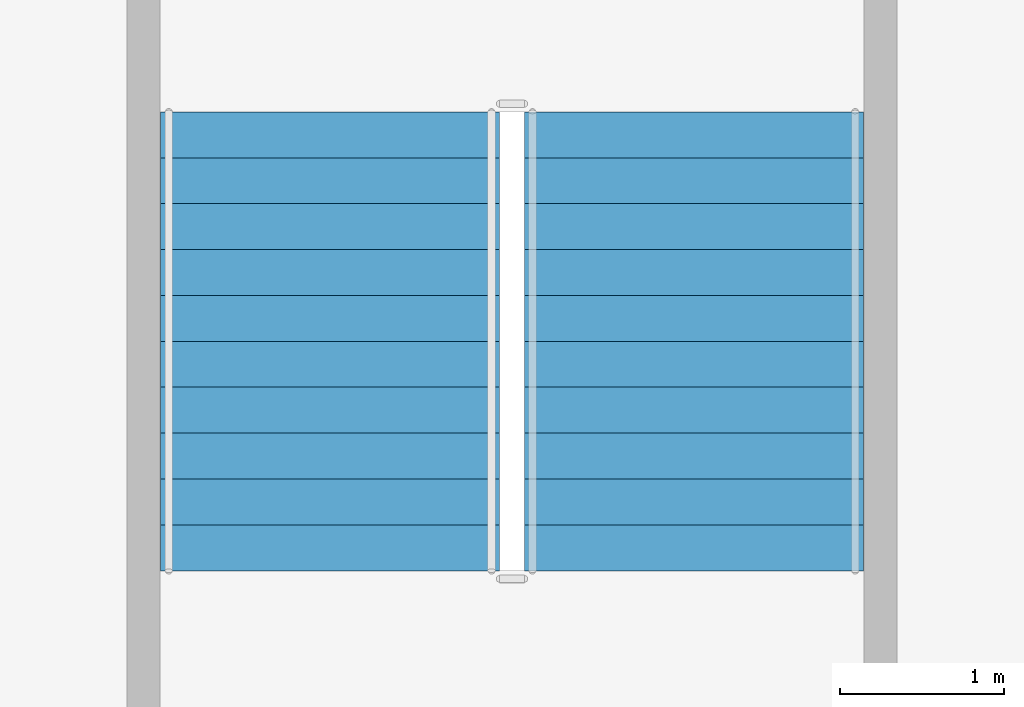
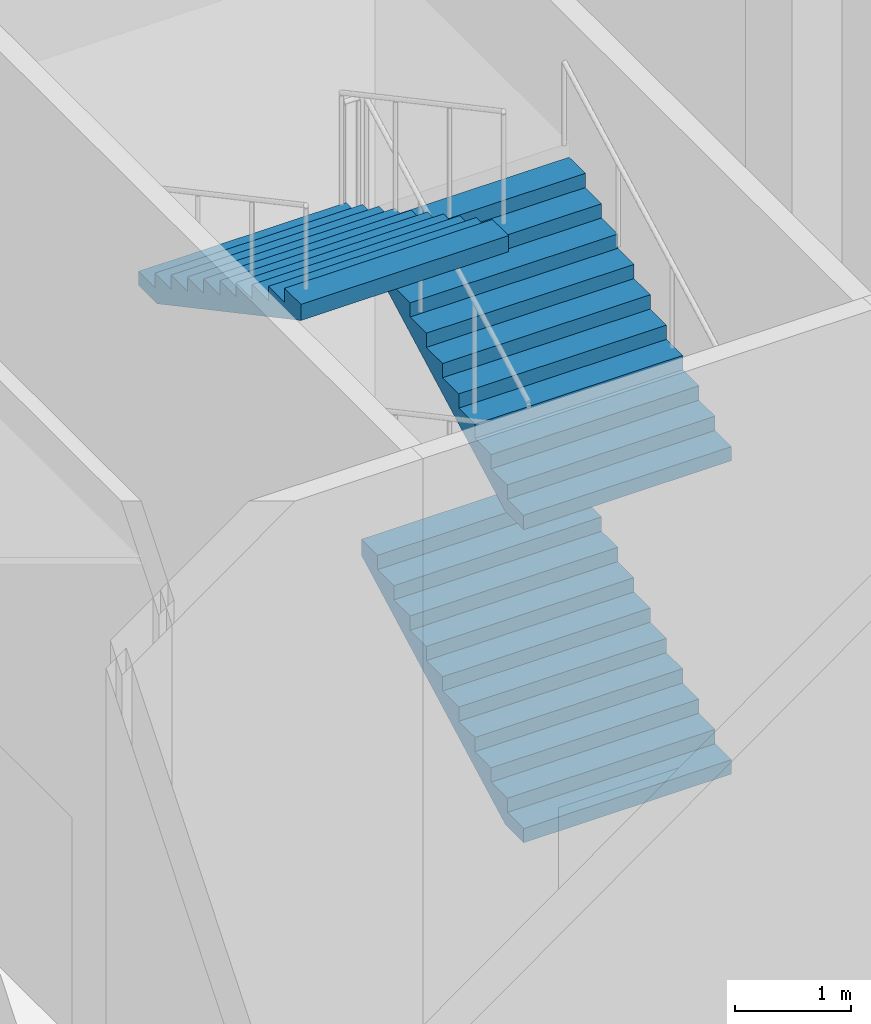
# One storey, part 29 of 38: 3 stair flights, 1 element without a shape of its own.
"""IFC4 building model written with IfcOpenShell, lengths in metres."""

from ifc_helpers import new_model, si_unit, direction, frame, origin, place, context, subcontext, project, spatial, polygons, material, type_object, element, aggregate, save


model = new_model("IFC4")

# Units and contexts
model_context = context("Model", 3, precision=1e-05, world=origin(), true_north=direction((0.0, 1.0)))
body_context = subcontext(model_context, "Body", "Model", "MODEL_VIEW")
ifc_project = project(units=[si_unit("LENGTHUNIT", "METRE"), si_unit("AREAUNIT", "SQUARE_METRE"), si_unit("VOLUMEUNIT", "CUBIC_METRE"), si_unit("PLANEANGLEUNIT", "RADIAN"), si_unit("MASSUNIT", "GRAM", prefix="KILO")], contexts=[model_context])

# Site, building, storey
site_placement = place(None, origin())
site = spatial("IfcSite", under=ifc_project, at=site_placement, CompositionType="ELEMENT")
building_placement = place(site_placement, origin())
building = spatial("IfcBuilding", under=site, at=building_placement, Name="Caravel Reach Hotel and Residences", CompositionType="ELEMENT")
storey_placement = place(building_placement, origin())
storey = spatial("IfcBuildingStorey", under=building, at=storey_placement, Name="L00", CompositionType="ELEMENT", Elevation=0.0)

# Stair, stair flights
ifc_material_1 = material(Name="Concrete C40", Category="concrete")
stair_type = type_object("IfcStairType", Name="Core stair", PredefinedType="HALF_TURN_STAIR", material=ifc_material_1)
stair_placement = place(storey_placement, origin())
stair = element("IfcStair", 1, at=stair_placement, inside=storey, type_object=stair_type, Name="L00 Exit stair P6", PredefinedType="HALF_TURN_STAIR")
ifc_material_2 = material(Name="Concrete C40", Category="concrete")
stair_flight_type = type_object("IfcStairFlightType", Name="Core stair flight", PredefinedType="STRAIGHT", material=ifc_material_2)
stair_flight_1_placement = place(storey_placement, frame((64.360107421875, 42.68994140625, 0.0), z_axis=(0.0, 0.0, 1.0), x_axis=(0.0, 1.0, 0.0)))
stair_flight_1 = element("IfcStairFlight", 2, at=stair_flight_1_placement, type_object=stair_flight_type, Name="ST-P6 flight 1", NumberOfRisers=11, NumberOfTreads=10, PredefinedType="STRAIGHT", RiserHeight=0.15, TreadLength=0.28, context=body_context, shape_type="Tessellation", body=[
    polygons([(0.3174408016601862, 1.0350341796875, 0.0), (0.3174408016601862, 0.6900227864583333, 0.0), (0.3174408016601862, 0.34501139322916663, 0.0), (0.3174408016601862, 0.0, 0.0), (0.3174408016601862, -0.34501139322916674, 0.0), (0.3174408016601862, -0.6900227864583333, 0.0), (0.3174408016601862, -1.0350341796875, 0.0), (2.801, 1.0350341796875, 1.329942427682043), (2.801, 0.6900227864583333, 1.329942427682043), (2.801, 0.34501139322916663, 1.329942427682043), (2.801, 0.0, 1.329942427682043), (2.801, -0.34501139322916674, 1.329942427682043), (2.801, -0.6900227864583333, 1.329942427682043), (2.801, -1.0350341796875, 1.329942427682043), (2.801, 1.0350341796875, 1.5), (2.801, 0.6900227864583333, 1.5), (2.801, 0.34501139322916663, 1.5), (2.801, 0.0, 1.5), (2.801, -0.34501139322916674, 1.5), (2.801, -0.6900227864583333, 1.5), (2.801, -1.0350341796875, 1.5), (2.5200000000000005, 1.0350341796875, 1.5), (2.5200000000000005, 0.6900227864583333, 1.5), (2.5200000000000005, 0.34501139322916663, 1.5), (2.5200000000000005, 0.0, 1.5), (2.5200000000000005, -0.34501139322916674, 1.5), (2.5200000000000005, -0.6900227864583333, 1.5), (2.5200000000000005, -1.0350341796875, 1.5), (2.5200000000000005, 1.0350341796875, 1.3499999999999999), (2.5200000000000005, 0.6900227864583333, 1.3499999999999999), (2.5200000000000005, 0.34501139322916663, 1.3499999999999999), (2.5200000000000005, 0.0, 1.3499999999999999), (2.5200000000000005, -0.34501139322916674, 1.3499999999999999), (2.5200000000000005, -0.6900227864583333, 1.3499999999999999), (2.5200000000000005, -1.0350341796875, 1.3499999999999999), (2.24, 1.0350341796875, 1.3499999999999999), (2.24, 0.6900227864583333, 1.3499999999999999), (2.24, 0.34501139322916663, 1.3499999999999999), (2.24, 0.0, 1.3499999999999999), (2.24, -0.34501139322916674, 1.3499999999999999), (2.24, -0.6900227864583333, 1.3499999999999999), (2.24, -1.0350341796875, 1.3499999999999999), (2.24, 1.0350341796875, 1.2), (2.24, 0.6900227864583333, 1.2), (2.24, 0.34501139322916663, 1.2), (2.24, 0.0, 1.2), (2.24, -0.34501139322916674, 1.2), (2.24, -0.6900227864583333, 1.2), (2.24, -1.0350341796875, 1.2), (1.9600000000000002, 1.0350341796875, 1.2), (1.9600000000000002, 0.6900227864583333, 1.2), (1.9600000000000002, 0.34501139322916663, 1.2), (1.9600000000000002, 0.0, 1.2), (1.9600000000000002, -0.34501139322916674, 1.2), (1.9600000000000002, -0.6900227864583333, 1.2), (1.9600000000000002, -1.0350341796875, 1.2), (1.9600000000000002, 1.0350341796875, 1.05), (1.9600000000000002, 0.6900227864583333, 1.05), (1.9600000000000002, 0.34501139322916663, 1.05), (1.9600000000000002, 0.0, 1.05), (1.9600000000000002, -0.34501139322916674, 1.05), (1.9600000000000002, -0.6900227864583333, 1.05), (1.9600000000000002, -1.0350341796875, 1.05), (1.6800000000000002, 1.0350341796875, 1.05), (1.6800000000000002, 0.6900227864583333, 1.05), (1.6800000000000002, 0.34501139322916663, 1.05), (1.6800000000000002, 0.0, 1.05), (1.6800000000000002, -0.34501139322916674, 1.05), (1.6800000000000002, -0.6900227864583333, 1.05), (1.6800000000000002, -1.0350341796875, 1.05), (1.6800000000000002, 1.0350341796875, 0.8999999999999999), (1.6800000000000002, 0.6900227864583333, 0.8999999999999999), (1.6800000000000002, 0.34501139322916663, 0.8999999999999999), (1.6800000000000002, 0.0, 0.8999999999999999), (1.6800000000000002, -0.34501139322916674, 0.8999999999999999), (1.6800000000000002, -0.6900227864583333, 0.8999999999999999), (1.6800000000000002, -1.0350341796875, 0.8999999999999999), (1.4000000000000001, 1.0350341796875, 0.8999999999999999), (1.4000000000000001, 0.6900227864583333, 0.8999999999999999), (1.4000000000000001, 0.34501139322916663, 0.8999999999999999), (1.4000000000000001, 0.0, 0.8999999999999999), (1.4000000000000001, -0.34501139322916674, 0.8999999999999999), (1.4000000000000001, -0.6900227864583333, 0.8999999999999999), (1.4000000000000001, -1.0350341796875, 0.8999999999999999), (1.4000000000000001, 1.0350341796875, 0.75), (1.4000000000000001, 0.6900227864583333, 0.75), (1.4000000000000001, 0.34501139322916663, 0.75), (1.4000000000000001, 0.0, 0.75), (1.4000000000000001, -0.34501139322916674, 0.75), (1.4000000000000001, -0.6900227864583333, 0.75), (1.4000000000000001, -1.0350341796875, 0.75), (1.12, 1.0350341796875, 0.75), (1.12, 0.6900227864583333, 0.75), (1.12, 0.34501139322916663, 0.75), (1.12, 0.0, 0.75), (1.12, -0.34501139322916674, 0.75), (1.12, -0.6900227864583333, 0.75), (1.12, -1.0350341796875, 0.75), (1.12, 1.0350341796875, 0.6), (1.12, 0.6900227864583333, 0.6), (1.12, 0.34501139322916663, 0.6), (1.12, 0.0, 0.6), (1.12, -0.34501139322916674, 0.6), (1.12, -0.6900227864583333, 0.6), (1.12, -1.0350341796875, 0.6), (0.8400000000000001, 1.0350341796875, 0.6), (0.8400000000000001, 0.6900227864583333, 0.6), (0.8400000000000001, 0.34501139322916663, 0.6), (0.8400000000000001, 0.0, 0.6), (0.8400000000000001, -0.34501139322916674, 0.6), (0.8400000000000001, -0.6900227864583333, 0.6), (0.8400000000000001, -1.0350341796875, 0.6), (0.8400000000000001, 1.0350341796875, 0.44999999999999996), (0.8400000000000001, 0.6900227864583333, 0.44999999999999996), (0.8400000000000001, 0.34501139322916663, 0.44999999999999996), (0.8400000000000001, 0.0, 0.44999999999999996), (0.8400000000000001, -0.34501139322916674, 0.44999999999999996), (0.8400000000000001, -0.6900227864583333, 0.44999999999999996), (0.8400000000000001, -1.0350341796875, 0.44999999999999996), (0.56, 1.0350341796875, 0.44999999999999996), (0.56, 0.6900227864583333, 0.44999999999999996), (0.56, 0.34501139322916663, 0.44999999999999996), (0.56, 0.0, 0.44999999999999996), (0.56, -0.34501139322916674, 0.44999999999999996), (0.56, -0.6900227864583333, 0.44999999999999996), (0.56, -1.0350341796875, 0.44999999999999996), (0.56, 1.0350341796875, 0.3), (0.56, 0.6900227864583333, 0.3), (0.56, 0.34501139322916663, 0.3), (0.56, 0.0, 0.3), (0.56, -0.34501139322916674, 0.3), (0.56, -0.6900227864583333, 0.3), (0.56, -1.0350341796875, 0.3), (0.28, 1.0350341796875, 0.3), (0.28, 0.6900227864583333, 0.3), (0.28, 0.34501139322916663, 0.3), (0.28, 0.0, 0.3), (0.28, -0.34501139322916674, 0.3), (0.28, -0.6900227864583333, 0.3), (0.28, -1.0350341796875, 0.3), (0.28, 1.0350341796875, 0.15), (0.28, 0.6900227864583333, 0.15), (0.28, 0.34501139322916663, 0.15), (0.28, 0.0, 0.15), (0.28, -0.34501139322916674, 0.15), (0.28, -0.6900227864583333, 0.15), (0.28, -1.0350341796875, 0.15), (-0.001, 1.0350341796875, 0.15), (-0.001, 0.6900227864583333, 0.15), (-0.001, 0.34501139322916663, 0.15), (-0.001, 0.0, 0.15), (-0.001, -0.34501139322916674, 0.15), (-0.001, -0.6900227864583333, 0.15), (-0.001, -1.0350341796875, 0.15), (-0.001, 1.0350341796875, 0.0), (-0.001, 0.6900227864583333, 0.0), (-0.001, 0.34501139322916663, 0.0), (-0.001, 0.0, 0.0), (-0.001, -0.34501139322916674, 0.0), (-0.001, -0.6900227864583333, 0.0), (-0.001, -1.0350341796875, 0.0)], [[[155, 148, 141, 134, 127, 120, 113, 106, 99, 92, 85, 78, 71, 64, 57, 50, 43, 36, 29, 22, 15, 8, 1]], [[7, 14, 21, 28, 35, 42, 49, 56, 63, 70, 77, 84, 91, 98, 105, 112, 119, 126, 133, 140, 147, 154, 161]], [[1, 8, 9, 2]], [[2, 9, 10, 3]], [[3, 10, 11, 4]], [[4, 11, 12, 5]], [[5, 12, 13, 6]], [[6, 13, 14, 7]], [[8, 15, 16, 9]], [[9, 16, 17, 10]], [[10, 17, 18, 11]], [[11, 18, 19, 12]], [[12, 19, 20, 13]], [[13, 20, 21, 14]], [[15, 22, 23, 16]], [[16, 23, 24, 17]], [[17, 24, 25, 18]], [[18, 25, 26, 19]], [[19, 26, 27, 20]], [[20, 27, 28, 21]], [[22, 29, 30, 23]], [[23, 30, 31, 24]], [[24, 31, 32, 25]], [[25, 32, 33, 26]], [[26, 33, 34, 27]], [[27, 34, 35, 28]], [[29, 36, 37, 30]], [[30, 37, 38, 31]], [[31, 38, 39, 32]], [[32, 39, 40, 33]], [[33, 40, 41, 34]], [[34, 41, 42, 35]], [[36, 43, 44, 37]], [[37, 44, 45, 38]], [[38, 45, 46, 39]], [[39, 46, 47, 40]], [[40, 47, 48, 41]], [[41, 48, 49, 42]], [[43, 50, 51, 44]], [[44, 51, 52, 45]], [[45, 52, 53, 46]], [[46, 53, 54, 47]], [[47, 54, 55, 48]], [[48, 55, 56, 49]], [[50, 57, 58, 51]], [[51, 58, 59, 52]], [[52, 59, 60, 53]], [[53, 60, 61, 54]], [[54, 61, 62, 55]], [[55, 62, 63, 56]], [[57, 64, 65, 58]], [[58, 65, 66, 59]], [[59, 66, 67, 60]], [[60, 67, 68, 61]], [[61, 68, 69, 62]], [[62, 69, 70, 63]], [[64, 71, 72, 65]], [[65, 72, 73, 66]], [[66, 73, 74, 67]], [[67, 74, 75, 68]], [[68, 75, 76, 69]], [[69, 76, 77, 70]], [[71, 78, 79, 72]], [[72, 79, 80, 73]], [[73, 80, 81, 74]], [[74, 81, 82, 75]], [[75, 82, 83, 76]], [[76, 83, 84, 77]], [[78, 85, 86, 79]], [[79, 86, 87, 80]], [[80, 87, 88, 81]], [[81, 88, 89, 82]], [[82, 89, 90, 83]], [[83, 90, 91, 84]], [[85, 92, 93, 86]], [[86, 93, 94, 87]], [[87, 94, 95, 88]], [[88, 95, 96, 89]], [[89, 96, 97, 90]], [[90, 97, 98, 91]], [[92, 99, 100, 93]], [[93, 100, 101, 94]], [[94, 101, 102, 95]], [[95, 102, 103, 96]], [[96, 103, 104, 97]], [[97, 104, 105, 98]], [[99, 106, 107, 100]], [[100, 107, 108, 101]], [[101, 108, 109, 102]], [[102, 109, 110, 103]], [[103, 110, 111, 104]], [[104, 111, 112, 105]], [[106, 113, 114, 107]], [[107, 114, 115, 108]], [[108, 115, 116, 109]], [[109, 116, 117, 110]], [[110, 117, 118, 111]], [[111, 118, 119, 112]], [[113, 120, 121, 114]], [[114, 121, 122, 115]], [[115, 122, 123, 116]], [[116, 123, 124, 117]], [[117, 124, 125, 118]], [[118, 125, 126, 119]], [[120, 127, 128, 121]], [[121, 128, 129, 122]], [[122, 129, 130, 123]], [[123, 130, 131, 124]], [[124, 131, 132, 125]], [[125, 132, 133, 126]], [[127, 134, 135, 128]], [[128, 135, 136, 129]], [[129, 136, 137, 130]], [[130, 137, 138, 131]], [[131, 138, 139, 132]], [[132, 139, 140, 133]], [[134, 141, 142, 135]], [[135, 142, 143, 136]], [[136, 143, 144, 137]], [[137, 144, 145, 138]], [[138, 145, 146, 139]], [[139, 146, 147, 140]], [[141, 148, 149, 142]], [[142, 149, 150, 143]], [[143, 150, 151, 144]], [[144, 151, 152, 145]], [[145, 152, 153, 146]], [[146, 153, 154, 147]], [[148, 155, 156, 149]], [[149, 156, 157, 150]], [[150, 157, 158, 151]], [[151, 158, 159, 152]], [[152, 159, 160, 153]], [[153, 160, 161, 154]], [[155, 1, 2, 156]], [[156, 2, 3, 157]], [[157, 3, 4, 158]], [[158, 4, 5, 159]], [[159, 5, 6, 160]], [[160, 6, 7, 161]]], closed=True),
])
stair_flight_2_placement = place(storey_placement, frame((64.360107421875, 42.68994140625, 3.300048828125), z_axis=(0.0, 0.0, 1.0), x_axis=(0.0, 1.0, 0.0)))
stair_flight_2 = element("IfcStairFlight", 3, at=stair_flight_2_placement, type_object=stair_flight_type, Name="ST-P6 flight 3", NumberOfRisers=11, NumberOfTreads=10, PredefinedType="STRAIGHT", RiserHeight=0.15, TreadLength=0.28, context=body_context, shape_type="Tessellation", body=[
    polygons([(0.3174408016601862, 1.0350341796875, 0.0), (0.3174408016601862, 0.6900227864583333, 0.0), (0.3174408016601862, 0.34501139322916663, 0.0), (0.3174408016601862, 0.0, 0.0), (0.3174408016601862, -0.34501139322916674, 0.0), (0.3174408016601862, -0.6900227864583333, 0.0), (0.3174408016601862, -1.0350341796875, 0.0), (2.801, 1.0350341796875, 1.329942427682043), (2.801, 0.6900227864583333, 1.329942427682043), (2.801, 0.34501139322916663, 1.329942427682043), (2.801, 0.0, 1.329942427682043), (2.801, -0.34501139322916674, 1.329942427682043), (2.801, -0.6900227864583333, 1.329942427682043), (2.801, -1.0350341796875, 1.329942427682043), (2.801, 1.0350341796875, 1.5), (2.801, 0.6900227864583333, 1.5), (2.801, 0.34501139322916663, 1.5), (2.801, 0.0, 1.5), (2.801, -0.34501139322916674, 1.5), (2.801, -0.6900227864583333, 1.5), (2.801, -1.0350341796875, 1.5), (2.5200000000000005, 1.0350341796875, 1.5), (2.5200000000000005, 0.6900227864583333, 1.5), (2.5200000000000005, 0.34501139322916663, 1.5), (2.5200000000000005, 0.0, 1.5), (2.5200000000000005, -0.34501139322916674, 1.5), (2.5200000000000005, -0.6900227864583333, 1.5), (2.5200000000000005, -1.0350341796875, 1.5), (2.5200000000000005, 1.0350341796875, 1.3499999999999999), (2.5200000000000005, 0.6900227864583333, 1.3499999999999999), (2.5200000000000005, 0.34501139322916663, 1.3499999999999999), (2.5200000000000005, 0.0, 1.3499999999999999), (2.5200000000000005, -0.34501139322916674, 1.3499999999999999), (2.5200000000000005, -0.6900227864583333, 1.3499999999999999), (2.5200000000000005, -1.0350341796875, 1.3499999999999999), (2.24, 1.0350341796875, 1.3499999999999999), (2.24, 0.6900227864583333, 1.3499999999999999), (2.24, 0.34501139322916663, 1.3499999999999999), (2.24, 0.0, 1.3499999999999999), (2.24, -0.34501139322916674, 1.3499999999999999), (2.24, -0.6900227864583333, 1.3499999999999999), (2.24, -1.0350341796875, 1.3499999999999999), (2.24, 1.0350341796875, 1.2), (2.24, 0.6900227864583333, 1.2), (2.24, 0.34501139322916663, 1.2), (2.24, 0.0, 1.2), (2.24, -0.34501139322916674, 1.2), (2.24, -0.6900227864583333, 1.2), (2.24, -1.0350341796875, 1.2), (1.9600000000000002, 1.0350341796875, 1.2), (1.9600000000000002, 0.6900227864583333, 1.2), (1.9600000000000002, 0.34501139322916663, 1.2), (1.9600000000000002, 0.0, 1.2), (1.9600000000000002, -0.34501139322916674, 1.2), (1.9600000000000002, -0.6900227864583333, 1.2), (1.9600000000000002, -1.0350341796875, 1.2), (1.9600000000000002, 1.0350341796875, 1.05), (1.9600000000000002, 0.6900227864583333, 1.05), (1.9600000000000002, 0.34501139322916663, 1.05), (1.9600000000000002, 0.0, 1.05), (1.9600000000000002, -0.34501139322916674, 1.05), (1.9600000000000002, -0.6900227864583333, 1.05), (1.9600000000000002, -1.0350341796875, 1.05), (1.6800000000000002, 1.0350341796875, 1.05), (1.6800000000000002, 0.6900227864583333, 1.05), (1.6800000000000002, 0.34501139322916663, 1.05), (1.6800000000000002, 0.0, 1.05), (1.6800000000000002, -0.34501139322916674, 1.05), (1.6800000000000002, -0.6900227864583333, 1.05), (1.6800000000000002, -1.0350341796875, 1.05), (1.6800000000000002, 1.0350341796875, 0.8999999999999999), (1.6800000000000002, 0.6900227864583333, 0.8999999999999999), (1.6800000000000002, 0.34501139322916663, 0.8999999999999999), (1.6800000000000002, 0.0, 0.8999999999999999), (1.6800000000000002, -0.34501139322916674, 0.8999999999999999), (1.6800000000000002, -0.6900227864583333, 0.8999999999999999), (1.6800000000000002, -1.0350341796875, 0.8999999999999999), (1.4000000000000001, 1.0350341796875, 0.8999999999999999), (1.4000000000000001, 0.6900227864583333, 0.8999999999999999), (1.4000000000000001, 0.34501139322916663, 0.8999999999999999), (1.4000000000000001, 0.0, 0.8999999999999999), (1.4000000000000001, -0.34501139322916674, 0.8999999999999999), (1.4000000000000001, -0.6900227864583333, 0.8999999999999999), (1.4000000000000001, -1.0350341796875, 0.8999999999999999), (1.4000000000000001, 1.0350341796875, 0.75), (1.4000000000000001, 0.6900227864583333, 0.75), (1.4000000000000001, 0.34501139322916663, 0.75), (1.4000000000000001, 0.0, 0.75), (1.4000000000000001, -0.34501139322916674, 0.75), (1.4000000000000001, -0.6900227864583333, 0.75), (1.4000000000000001, -1.0350341796875, 0.75), (1.12, 1.0350341796875, 0.75), (1.12, 0.6900227864583333, 0.75), (1.12, 0.34501139322916663, 0.75), (1.12, 0.0, 0.75), (1.12, -0.34501139322916674, 0.75), (1.12, -0.6900227864583333, 0.75), (1.12, -1.0350341796875, 0.75), (1.12, 1.0350341796875, 0.6), (1.12, 0.6900227864583333, 0.6), (1.12, 0.34501139322916663, 0.6), (1.12, 0.0, 0.6), (1.12, -0.34501139322916674, 0.6), (1.12, -0.6900227864583333, 0.6), (1.12, -1.0350341796875, 0.6), (0.8400000000000001, 1.0350341796875, 0.6), (0.8400000000000001, 0.6900227864583333, 0.6), (0.8400000000000001, 0.34501139322916663, 0.6), (0.8400000000000001, 0.0, 0.6), (0.8400000000000001, -0.34501139322916674, 0.6), (0.8400000000000001, -0.6900227864583333, 0.6), (0.8400000000000001, -1.0350341796875, 0.6), (0.8400000000000001, 1.0350341796875, 0.44999999999999996), (0.8400000000000001, 0.6900227864583333, 0.44999999999999996), (0.8400000000000001, 0.34501139322916663, 0.44999999999999996), (0.8400000000000001, 0.0, 0.44999999999999996), (0.8400000000000001, -0.34501139322916674, 0.44999999999999996), (0.8400000000000001, -0.6900227864583333, 0.44999999999999996), (0.8400000000000001, -1.0350341796875, 0.44999999999999996), (0.56, 1.0350341796875, 0.44999999999999996), (0.56, 0.6900227864583333, 0.44999999999999996), (0.56, 0.34501139322916663, 0.44999999999999996), (0.56, 0.0, 0.44999999999999996), (0.56, -0.34501139322916674, 0.44999999999999996), (0.56, -0.6900227864583333, 0.44999999999999996), (0.56, -1.0350341796875, 0.44999999999999996), (0.56, 1.0350341796875, 0.3), (0.56, 0.6900227864583333, 0.3), (0.56, 0.34501139322916663, 0.3), (0.56, 0.0, 0.3), (0.56, -0.34501139322916674, 0.3), (0.56, -0.6900227864583333, 0.3), (0.56, -1.0350341796875, 0.3), (0.28, 1.0350341796875, 0.3), (0.28, 0.6900227864583333, 0.3), (0.28, 0.34501139322916663, 0.3), (0.28, 0.0, 0.3), (0.28, -0.34501139322916674, 0.3), (0.28, -0.6900227864583333, 0.3), (0.28, -1.0350341796875, 0.3), (0.28, 1.0350341796875, 0.15), (0.28, 0.6900227864583333, 0.15), (0.28, 0.34501139322916663, 0.15), (0.28, 0.0, 0.15), (0.28, -0.34501139322916674, 0.15), (0.28, -0.6900227864583333, 0.15), (0.28, -1.0350341796875, 0.15), (-0.001, 1.0350341796875, 0.15), (-0.001, 0.6900227864583333, 0.15), (-0.001, 0.34501139322916663, 0.15), (-0.001, 0.0, 0.15), (-0.001, -0.34501139322916674, 0.15), (-0.001, -0.6900227864583333, 0.15), (-0.001, -1.0350341796875, 0.15), (-0.001, 1.0350341796875, 0.0), (-0.001, 0.6900227864583333, 0.0), (-0.001, 0.34501139322916663, 0.0), (-0.001, 0.0, 0.0), (-0.001, -0.34501139322916674, 0.0), (-0.001, -0.6900227864583333, 0.0), (-0.001, -1.0350341796875, 0.0)], [[[155, 148, 141, 134, 127, 120, 113, 106, 99, 92, 85, 78, 71, 64, 57, 50, 43, 36, 29, 22, 15, 8, 1]], [[7, 14, 21, 28, 35, 42, 49, 56, 63, 70, 77, 84, 91, 98, 105, 112, 119, 126, 133, 140, 147, 154, 161]], [[1, 8, 9, 2]], [[2, 9, 10, 3]], [[3, 10, 11, 4]], [[4, 11, 12, 5]], [[5, 12, 13, 6]], [[6, 13, 14, 7]], [[8, 15, 16, 9]], [[9, 16, 17, 10]], [[10, 17, 18, 11]], [[11, 18, 19, 12]], [[12, 19, 20, 13]], [[13, 20, 21, 14]], [[15, 22, 23, 16]], [[16, 23, 24, 17]], [[17, 24, 25, 18]], [[18, 25, 26, 19]], [[19, 26, 27, 20]], [[20, 27, 28, 21]], [[22, 29, 30, 23]], [[23, 30, 31, 24]], [[24, 31, 32, 25]], [[25, 32, 33, 26]], [[26, 33, 34, 27]], [[27, 34, 35, 28]], [[29, 36, 37, 30]], [[30, 37, 38, 31]], [[31, 38, 39, 32]], [[32, 39, 40, 33]], [[33, 40, 41, 34]], [[34, 41, 42, 35]], [[36, 43, 44, 37]], [[37, 44, 45, 38]], [[38, 45, 46, 39]], [[39, 46, 47, 40]], [[40, 47, 48, 41]], [[41, 48, 49, 42]], [[43, 50, 51, 44]], [[44, 51, 52, 45]], [[45, 52, 53, 46]], [[46, 53, 54, 47]], [[47, 54, 55, 48]], [[48, 55, 56, 49]], [[50, 57, 58, 51]], [[51, 58, 59, 52]], [[52, 59, 60, 53]], [[53, 60, 61, 54]], [[54, 61, 62, 55]], [[55, 62, 63, 56]], [[57, 64, 65, 58]], [[58, 65, 66, 59]], [[59, 66, 67, 60]], [[60, 67, 68, 61]], [[61, 68, 69, 62]], [[62, 69, 70, 63]], [[64, 71, 72, 65]], [[65, 72, 73, 66]], [[66, 73, 74, 67]], [[67, 74, 75, 68]], [[68, 75, 76, 69]], [[69, 76, 77, 70]], [[71, 78, 79, 72]], [[72, 79, 80, 73]], [[73, 80, 81, 74]], [[74, 81, 82, 75]], [[75, 82, 83, 76]], [[76, 83, 84, 77]], [[78, 85, 86, 79]], [[79, 86, 87, 80]], [[80, 87, 88, 81]], [[81, 88, 89, 82]], [[82, 89, 90, 83]], [[83, 90, 91, 84]], [[85, 92, 93, 86]], [[86, 93, 94, 87]], [[87, 94, 95, 88]], [[88, 95, 96, 89]], [[89, 96, 97, 90]], [[90, 97, 98, 91]], [[92, 99, 100, 93]], [[93, 100, 101, 94]], [[94, 101, 102, 95]], [[95, 102, 103, 96]], [[96, 103, 104, 97]], [[97, 104, 105, 98]], [[99, 106, 107, 100]], [[100, 107, 108, 101]], [[101, 108, 109, 102]], [[102, 109, 110, 103]], [[103, 110, 111, 104]], [[104, 111, 112, 105]], [[106, 113, 114, 107]], [[107, 114, 115, 108]], [[108, 115, 116, 109]], [[109, 116, 117, 110]], [[110, 117, 118, 111]], [[111, 118, 119, 112]], [[113, 120, 121, 114]], [[114, 121, 122, 115]], [[115, 122, 123, 116]], [[116, 123, 124, 117]], [[117, 124, 125, 118]], [[118, 125, 126, 119]], [[120, 127, 128, 121]], [[121, 128, 129, 122]], [[122, 129, 130, 123]], [[123, 130, 131, 124]], [[124, 131, 132, 125]], [[125, 132, 133, 126]], [[127, 134, 135, 128]], [[128, 135, 136, 129]], [[129, 136, 137, 130]], [[130, 137, 138, 131]], [[131, 138, 139, 132]], [[132, 139, 140, 133]], [[134, 141, 142, 135]], [[135, 142, 143, 136]], [[136, 143, 144, 137]], [[137, 144, 145, 138]], [[138, 145, 146, 139]], [[139, 146, 147, 140]], [[141, 148, 149, 142]], [[142, 149, 150, 143]], [[143, 150, 151, 144]], [[144, 151, 152, 145]], [[145, 152, 153, 146]], [[146, 153, 154, 147]], [[148, 155, 156, 149]], [[149, 156, 157, 150]], [[150, 157, 158, 151]], [[151, 158, 159, 152]], [[152, 159, 160, 153]], [[153, 160, 161, 154]], [[155, 1, 2, 156]], [[156, 2, 3, 157]], [[157, 3, 4, 158]], [[158, 4, 5, 159]], [[159, 5, 6, 160]], [[160, 6, 7, 161]]], closed=True),
])
stair_flight_3_placement = place(storey_placement, frame((62.139892578125, 45.489990234375, 4.949951171875), z_axis=(0.0, 0.0, 1.0), x_axis=(0.0, -1.0, 0.0)))
stair_flight_3 = element("IfcStairFlight", 4, at=stair_flight_3_placement, type_object=stair_flight_type, Name="ST-P6 flight 4", NumberOfRisers=11, NumberOfTreads=10, PredefinedType="STRAIGHT", RiserHeight=0.15, TreadLength=0.28, context=body_context, shape_type="Tessellation", body=[
    polygons([(0.3174408016601862, 1.0350341796875, 0.0), (0.3174408016601862, 0.6900227864583333, 0.0), (0.3174408016601862, 0.34501139322916663, 0.0), (0.3174408016601862, 0.0, 0.0), (0.3174408016601862, -0.34501139322916674, 0.0), (0.3174408016601862, -0.6900227864583333, 0.0), (0.3174408016601862, -1.0350341796875, 0.0), (2.801, 1.0350341796875, 1.329942427682043), (2.801, 0.6900227864583333, 1.329942427682043), (2.801, 0.34501139322916663, 1.329942427682043), (2.801, 0.0, 1.329942427682043), (2.801, -0.34501139322916674, 1.329942427682043), (2.801, -0.6900227864583333, 1.329942427682043), (2.801, -1.0350341796875, 1.329942427682043), (2.801, 1.0350341796875, 1.5), (2.801, 0.6900227864583333, 1.5), (2.801, 0.34501139322916663, 1.5), (2.801, 0.0, 1.5), (2.801, -0.34501139322916674, 1.5), (2.801, -0.6900227864583333, 1.5), (2.801, -1.0350341796875, 1.5), (2.5200000000000005, 1.0350341796875, 1.5), (2.5200000000000005, 0.6900227864583333, 1.5), (2.5200000000000005, 0.34501139322916663, 1.5), (2.5200000000000005, 0.0, 1.5), (2.5200000000000005, -0.34501139322916674, 1.5), (2.5200000000000005, -0.6900227864583333, 1.5), (2.5200000000000005, -1.0350341796875, 1.5), (2.5200000000000005, 1.0350341796875, 1.3499999999999999), (2.5200000000000005, 0.6900227864583333, 1.3499999999999999), (2.5200000000000005, 0.34501139322916663, 1.3499999999999999), (2.5200000000000005, 0.0, 1.3499999999999999), (2.5200000000000005, -0.34501139322916674, 1.3499999999999999), (2.5200000000000005, -0.6900227864583333, 1.3499999999999999), (2.5200000000000005, -1.0350341796875, 1.3499999999999999), (2.24, 1.0350341796875, 1.3499999999999999), (2.24, 0.6900227864583333, 1.3499999999999999), (2.24, 0.34501139322916663, 1.3499999999999999), (2.24, 0.0, 1.3499999999999999), (2.24, -0.34501139322916674, 1.3499999999999999), (2.24, -0.6900227864583333, 1.3499999999999999), (2.24, -1.0350341796875, 1.3499999999999999), (2.24, 1.0350341796875, 1.2), (2.24, 0.6900227864583333, 1.2), (2.24, 0.34501139322916663, 1.2), (2.24, 0.0, 1.2), (2.24, -0.34501139322916674, 1.2), (2.24, -0.6900227864583333, 1.2), (2.24, -1.0350341796875, 1.2), (1.9600000000000002, 1.0350341796875, 1.2), (1.9600000000000002, 0.6900227864583333, 1.2), (1.9600000000000002, 0.34501139322916663, 1.2), (1.9600000000000002, 0.0, 1.2), (1.9600000000000002, -0.34501139322916674, 1.2), (1.9600000000000002, -0.6900227864583333, 1.2), (1.9600000000000002, -1.0350341796875, 1.2), (1.9600000000000002, 1.0350341796875, 1.05), (1.9600000000000002, 0.6900227864583333, 1.05), (1.9600000000000002, 0.34501139322916663, 1.05), (1.9600000000000002, 0.0, 1.05), (1.9600000000000002, -0.34501139322916674, 1.05), (1.9600000000000002, -0.6900227864583333, 1.05), (1.9600000000000002, -1.0350341796875, 1.05), (1.6800000000000002, 1.0350341796875, 1.05), (1.6800000000000002, 0.6900227864583333, 1.05), (1.6800000000000002, 0.34501139322916663, 1.05), (1.6800000000000002, 0.0, 1.05), (1.6800000000000002, -0.34501139322916674, 1.05), (1.6800000000000002, -0.6900227864583333, 1.05), (1.6800000000000002, -1.0350341796875, 1.05), (1.6800000000000002, 1.0350341796875, 0.8999999999999999), (1.6800000000000002, 0.6900227864583333, 0.8999999999999999), (1.6800000000000002, 0.34501139322916663, 0.8999999999999999), (1.6800000000000002, 0.0, 0.8999999999999999), (1.6800000000000002, -0.34501139322916674, 0.8999999999999999), (1.6800000000000002, -0.6900227864583333, 0.8999999999999999), (1.6800000000000002, -1.0350341796875, 0.8999999999999999), (1.4000000000000001, 1.0350341796875, 0.8999999999999999), (1.4000000000000001, 0.6900227864583333, 0.8999999999999999), (1.4000000000000001, 0.34501139322916663, 0.8999999999999999), (1.4000000000000001, 0.0, 0.8999999999999999), (1.4000000000000001, -0.34501139322916674, 0.8999999999999999), (1.4000000000000001, -0.6900227864583333, 0.8999999999999999), (1.4000000000000001, -1.0350341796875, 0.8999999999999999), (1.4000000000000001, 1.0350341796875, 0.75), (1.4000000000000001, 0.6900227864583333, 0.75), (1.4000000000000001, 0.34501139322916663, 0.75), (1.4000000000000001, 0.0, 0.75), (1.4000000000000001, -0.34501139322916674, 0.75), (1.4000000000000001, -0.6900227864583333, 0.75), (1.4000000000000001, -1.0350341796875, 0.75), (1.12, 1.0350341796875, 0.75), (1.12, 0.6900227864583333, 0.75), (1.12, 0.34501139322916663, 0.75), (1.12, 0.0, 0.75), (1.12, -0.34501139322916674, 0.75), (1.12, -0.6900227864583333, 0.75), (1.12, -1.0350341796875, 0.75), (1.12, 1.0350341796875, 0.6), (1.12, 0.6900227864583333, 0.6), (1.12, 0.34501139322916663, 0.6), (1.12, 0.0, 0.6), (1.12, -0.34501139322916674, 0.6), (1.12, -0.6900227864583333, 0.6), (1.12, -1.0350341796875, 0.6), (0.8400000000000001, 1.0350341796875, 0.6), (0.8400000000000001, 0.6900227864583333, 0.6), (0.8400000000000001, 0.34501139322916663, 0.6), (0.8400000000000001, 0.0, 0.6), (0.8400000000000001, -0.34501139322916674, 0.6), (0.8400000000000001, -0.6900227864583333, 0.6), (0.8400000000000001, -1.0350341796875, 0.6), (0.8400000000000001, 1.0350341796875, 0.44999999999999996), (0.8400000000000001, 0.6900227864583333, 0.44999999999999996), (0.8400000000000001, 0.34501139322916663, 0.44999999999999996), (0.8400000000000001, 0.0, 0.44999999999999996), (0.8400000000000001, -0.34501139322916674, 0.44999999999999996), (0.8400000000000001, -0.6900227864583333, 0.44999999999999996), (0.8400000000000001, -1.0350341796875, 0.44999999999999996), (0.56, 1.0350341796875, 0.44999999999999996), (0.56, 0.6900227864583333, 0.44999999999999996), (0.56, 0.34501139322916663, 0.44999999999999996), (0.56, 0.0, 0.44999999999999996), (0.56, -0.34501139322916674, 0.44999999999999996), (0.56, -0.6900227864583333, 0.44999999999999996), (0.56, -1.0350341796875, 0.44999999999999996), (0.56, 1.0350341796875, 0.3), (0.56, 0.6900227864583333, 0.3), (0.56, 0.34501139322916663, 0.3), (0.56, 0.0, 0.3), (0.56, -0.34501139322916674, 0.3), (0.56, -0.6900227864583333, 0.3), (0.56, -1.0350341796875, 0.3), (0.28, 1.0350341796875, 0.3), (0.28, 0.6900227864583333, 0.3), (0.28, 0.34501139322916663, 0.3), (0.28, 0.0, 0.3), (0.28, -0.34501139322916674, 0.3), (0.28, -0.6900227864583333, 0.3), (0.28, -1.0350341796875, 0.3), (0.28, 1.0350341796875, 0.15), (0.28, 0.6900227864583333, 0.15), (0.28, 0.34501139322916663, 0.15), (0.28, 0.0, 0.15), (0.28, -0.34501139322916674, 0.15), (0.28, -0.6900227864583333, 0.15), (0.28, -1.0350341796875, 0.15), (-0.001, 1.0350341796875, 0.15), (-0.001, 0.6900227864583333, 0.15), (-0.001, 0.34501139322916663, 0.15), (-0.001, 0.0, 0.15), (-0.001, -0.34501139322916674, 0.15), (-0.001, -0.6900227864583333, 0.15), (-0.001, -1.0350341796875, 0.15), (-0.001, 1.0350341796875, 0.0), (-0.001, 0.6900227864583333, 0.0), (-0.001, 0.34501139322916663, 0.0), (-0.001, 0.0, 0.0), (-0.001, -0.34501139322916674, 0.0), (-0.001, -0.6900227864583333, 0.0), (-0.001, -1.0350341796875, 0.0)], [[[155, 148, 141, 134, 127, 120, 113, 106, 99, 92, 85, 78, 71, 64, 57, 50, 43, 36, 29, 22, 15, 8, 1]], [[7, 14, 21, 28, 35, 42, 49, 56, 63, 70, 77, 84, 91, 98, 105, 112, 119, 126, 133, 140, 147, 154, 161]], [[1, 8, 9, 2]], [[2, 9, 10, 3]], [[3, 10, 11, 4]], [[4, 11, 12, 5]], [[5, 12, 13, 6]], [[6, 13, 14, 7]], [[8, 15, 16, 9]], [[9, 16, 17, 10]], [[10, 17, 18, 11]], [[11, 18, 19, 12]], [[12, 19, 20, 13]], [[13, 20, 21, 14]], [[15, 22, 23, 16]], [[16, 23, 24, 17]], [[17, 24, 25, 18]], [[18, 25, 26, 19]], [[19, 26, 27, 20]], [[20, 27, 28, 21]], [[22, 29, 30, 23]], [[23, 30, 31, 24]], [[24, 31, 32, 25]], [[25, 32, 33, 26]], [[26, 33, 34, 27]], [[27, 34, 35, 28]], [[29, 36, 37, 30]], [[30, 37, 38, 31]], [[31, 38, 39, 32]], [[32, 39, 40, 33]], [[33, 40, 41, 34]], [[34, 41, 42, 35]], [[36, 43, 44, 37]], [[37, 44, 45, 38]], [[38, 45, 46, 39]], [[39, 46, 47, 40]], [[40, 47, 48, 41]], [[41, 48, 49, 42]], [[43, 50, 51, 44]], [[44, 51, 52, 45]], [[45, 52, 53, 46]], [[46, 53, 54, 47]], [[47, 54, 55, 48]], [[48, 55, 56, 49]], [[50, 57, 58, 51]], [[51, 58, 59, 52]], [[52, 59, 60, 53]], [[53, 60, 61, 54]], [[54, 61, 62, 55]], [[55, 62, 63, 56]], [[57, 64, 65, 58]], [[58, 65, 66, 59]], [[59, 66, 67, 60]], [[60, 67, 68, 61]], [[61, 68, 69, 62]], [[62, 69, 70, 63]], [[64, 71, 72, 65]], [[65, 72, 73, 66]], [[66, 73, 74, 67]], [[67, 74, 75, 68]], [[68, 75, 76, 69]], [[69, 76, 77, 70]], [[71, 78, 79, 72]], [[72, 79, 80, 73]], [[73, 80, 81, 74]], [[74, 81, 82, 75]], [[75, 82, 83, 76]], [[76, 83, 84, 77]], [[78, 85, 86, 79]], [[79, 86, 87, 80]], [[80, 87, 88, 81]], [[81, 88, 89, 82]], [[82, 89, 90, 83]], [[83, 90, 91, 84]], [[85, 92, 93, 86]], [[86, 93, 94, 87]], [[87, 94, 95, 88]], [[88, 95, 96, 89]], [[89, 96, 97, 90]], [[90, 97, 98, 91]], [[92, 99, 100, 93]], [[93, 100, 101, 94]], [[94, 101, 102, 95]], [[95, 102, 103, 96]], [[96, 103, 104, 97]], [[97, 104, 105, 98]], [[99, 106, 107, 100]], [[100, 107, 108, 101]], [[101, 108, 109, 102]], [[102, 109, 110, 103]], [[103, 110, 111, 104]], [[104, 111, 112, 105]], [[106, 113, 114, 107]], [[107, 114, 115, 108]], [[108, 115, 116, 109]], [[109, 116, 117, 110]], [[110, 117, 118, 111]], [[111, 118, 119, 112]], [[113, 120, 121, 114]], [[114, 121, 122, 115]], [[115, 122, 123, 116]], [[116, 123, 124, 117]], [[117, 124, 125, 118]], [[118, 125, 126, 119]], [[120, 127, 128, 121]], [[121, 128, 129, 122]], [[122, 129, 130, 123]], [[123, 130, 131, 124]], [[124, 131, 132, 125]], [[125, 132, 133, 126]], [[127, 134, 135, 128]], [[128, 135, 136, 129]], [[129, 136, 137, 130]], [[130, 137, 138, 131]], [[131, 138, 139, 132]], [[132, 139, 140, 133]], [[134, 141, 142, 135]], [[135, 142, 143, 136]], [[136, 143, 144, 137]], [[137, 144, 145, 138]], [[138, 145, 146, 139]], [[139, 146, 147, 140]], [[141, 148, 149, 142]], [[142, 149, 150, 143]], [[143, 150, 151, 144]], [[144, 151, 152, 145]], [[145, 152, 153, 146]], [[146, 153, 154, 147]], [[148, 155, 156, 149]], [[149, 156, 157, 150]], [[150, 157, 158, 151]], [[151, 158, 159, 152]], [[152, 159, 160, 153]], [[153, 160, 161, 154]], [[155, 1, 2, 156]], [[156, 2, 3, 157]], [[157, 3, 4, 158]], [[158, 4, 5, 159]], [[159, 5, 6, 160]], [[160, 6, 7, 161]]], closed=True),
])
aggregate(stair, [stair_flight_1, stair_flight_2, stair_flight_3])

save(model, "model.ifc")
